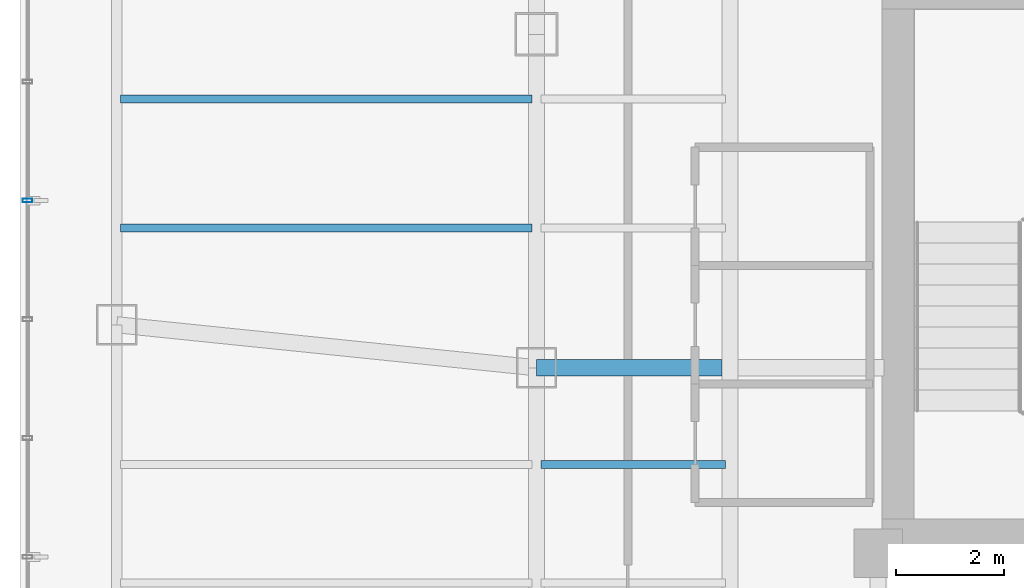
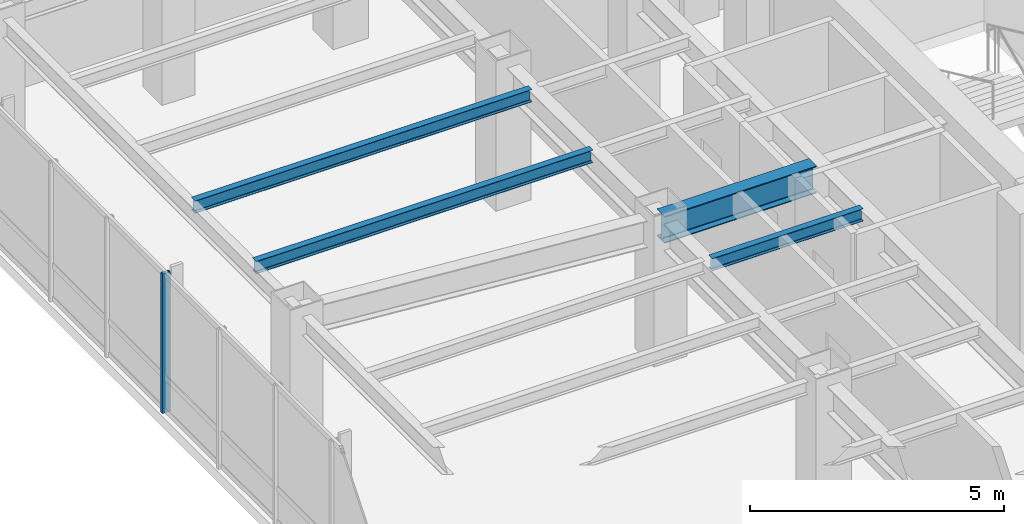
# One storey, part 8 of 28: 4 beams, 1 member, 1 element without a shape of its own.
"""IFC4 building model written with IfcOpenShell, lengths in metres."""

import ifcopenshell
import ifcopenshell.guid

model = None  # the IFC model being written
_history = None  # IfcOwnerHistory: only IFC2X3 demands one
_inside = {}  # id of a spatial element -> (the spatial element, [elements in it])
_under = {}  # id of a project, library or spatial element -> (it, [spatial elements below it])
_declared = {}  # id of a project -> (the project, [libraries it declares])
_typed = {}  # id of a type object -> (the type object, [elements of that type])
_made_of = {}  # id of a material, layer set ... -> (it, [elements and type objects made of it])


def new_model(schema):
    """Start an empty IFC model of exactly this schema.

    Asked for "IFC4X3", IfcOpenShell would pick the latest addendum, in which some entities
    have other attributes; the version numbers below select the first issue.
    IFC2X3 requires an IfcOwnerHistory on every rooted entity: one is made here for all.
    """
    global model, _history
    if schema == "IFC4X3":
        model = ifcopenshell.file(schema_version=(4, 3, 0, 0))
    else:
        model = ifcopenshell.file(schema=schema)
    _inside.clear()
    _under.clear()
    _declared.clear()
    _typed.clear()
    _made_of.clear()
    _history = None
    if model.schema == "IFC2X3":
        org = make("IfcOrganization", Name="unknown")
        user = make(
            "IfcPersonAndOrganization",
            ThePerson=make("IfcPerson", FamilyName="unknown"),
            TheOrganization=org,
        )
        app = make(
            "IfcApplication",
            ApplicationDeveloper=org,
            Version="unknown",
            ApplicationFullName="unknown",
            ApplicationIdentifier="unknown",
        )
        _history = make(
            "IfcOwnerHistory",
            OwningUser=user,
            OwningApplication=app,
            ChangeAction="ADDED",
            CreationDate=0,
        )
    return model


def make(cls, **values):
    """One entity of the class cls with the attributes given. An attribute that is None is left unset."""
    return model.create_entity(
        cls, **{name: value for name, value in values.items() if value is not None}
    )


def rooted(cls, **values):
    """An entity with a GlobalId (a new one), such as an element, a storey or a relation."""
    return make(cls, GlobalId=ifcopenshell.guid.new(), OwnerHistory=_history, **values)


def si_unit(unit_type, name, prefix=None):
    """IfcSIUnit, for example si_unit("LENGTHUNIT", "METRE", prefix="MILLI")."""
    return make("IfcSIUnit", UnitType=unit_type, Prefix=prefix, Name=name)


def assignment(units):
    """IfcUnitAssignment: the units of a project."""
    return None if units is None else make("IfcUnitAssignment", Units=units)


def point(xyz):
    """IfcCartesianPoint."""
    return None if xyz is None else make("IfcCartesianPoint", Coordinates=xyz)


def direction(xyz):
    """IfcDirection."""
    return None if xyz is None else make("IfcDirection", DirectionRatios=xyz)


def frame(location, z_axis=None, x_axis=None):
    """IfcAxis2Placement3D, a coordinate frame: its origin and axes. An axis left out is left unset."""
    return make(
        "IfcAxis2Placement3D",
        Location=point(location),
        Axis=direction(z_axis),
        RefDirection=direction(x_axis),
    )


def frame_2d(location, x_axis=None):
    """IfcAxis2Placement2D, a coordinate frame in the plane: its origin and x axis."""
    return make(
        "IfcAxis2Placement2D", Location=point(location), RefDirection=direction(x_axis)
    )


def origin():
    """The frame at (0, 0, 0) with its axes left unset."""
    return frame((0.0, 0.0, 0.0))


def origin_2d():
    """The frame at (0, 0) in the plane with its x axis left unset."""
    return frame_2d((0.0, 0.0))


def place(relative_to, where):
    """IfcLocalPlacement: puts the frame where relative to a parent placement (None: the world)."""
    return make(
        "IfcLocalPlacement", PlacementRelTo=relative_to, RelativePlacement=where
    )


def context(
    kind, dimensions, precision=None, world=None, true_north=None, identifier=None
):
    """IfcGeometricRepresentationContext, for example the 3D "Model" context."""
    return make(
        "IfcGeometricRepresentationContext",
        ContextIdentifier=identifier,
        ContextType=kind,
        CoordinateSpaceDimension=dimensions,
        Precision=precision,
        WorldCoordinateSystem=world,
        TrueNorth=true_north,
    )


def subcontext(parent, identifier, kind, view, scale=None):
    """IfcGeometricRepresentationSubContext, for example "Body" below "Model"."""
    return make(
        "IfcGeometricRepresentationSubContext",
        ContextIdentifier=identifier,
        ContextType=kind,
        ParentContext=parent,
        TargetScale=scale,
        TargetView=view,
    )


def project(units=None, contexts=None):
    """IfcProject with its units and contexts."""
    return rooted(
        "IfcProject",
        Name="project",
        RepresentationContexts=contexts,
        UnitsInContext=assignment(units),
    )


def spatial(cls, under=None, at=None, **own):
    """A site, building, storey or space (cls), placed at a placement, below another one or the project."""
    s = rooted(cls, ObjectPlacement=at, **own)
    if under is not None:
        _under.setdefault(under.id(), (under, []))[1].append(s)
    return s


def profile(cls, at=None, kind="AREA", **sizes):
    """A parametric profile (cls). Its sizes go by their IFC names, for example OverallWidth=200.0."""
    return make(cls, ProfileType=kind, Position=at, **sizes)


def hollow_rectangle(**sizes):
    """IfcRectangleHollowProfileDef."""
    return profile("IfcRectangleHollowProfileDef", **sizes)


def i_section(**sizes):
    """IfcIShapeProfileDef."""
    return profile("IfcIShapeProfileDef", **sizes)


def extrude(swept, where, along, depth):
    """IfcExtrudedAreaSolid: the profile swept, set in the frame where, extruded along a direction by depth."""
    return make(
        "IfcExtrudedAreaSolid",
        SweptArea=swept,
        Position=where,
        ExtrudedDirection=direction(along),
        Depth=depth,
    )


def shape(context_of_items, identifier, shape_type, items):
    """IfcShapeRepresentation: the items that make up one representation, for example the "Body"."""
    return make(
        "IfcShapeRepresentation",
        ContextOfItems=context_of_items,
        RepresentationIdentifier=identifier,
        RepresentationType=shape_type,
        Items=items,
    )


def material(Name=None, Category=None):
    """IfcMaterial."""
    return make("IfcMaterial", Name=Name, Category=Category)


def layer(
    of_material, thickness, ventilated=None, Name=None, Category=None, Priority=None
):
    """IfcMaterialLayer: one layer of a wall or slab, of a material (None: an air gap)."""
    return make(
        "IfcMaterialLayer",
        Material=of_material,
        LayerThickness=thickness,
        IsVentilated=ventilated,
        Name=Name,
        Category=Category,
        Priority=Priority,
    )


def layer_set(layers, Name=None):
    """IfcMaterialLayerSet."""
    return make("IfcMaterialLayerSet", MaterialLayers=layers, LayerSetName=Name)


def material_profile(
    of_material, cross_section, Name=None, Category=None, Priority=None
):
    """IfcMaterialProfile: a cross section and its material."""
    return make(
        "IfcMaterialProfile",
        Name=Name,
        Material=of_material,
        Profile=cross_section,
        Priority=Priority,
        Category=Category,
    )


def profile_set(profiles, Name=None, composite=None):
    """IfcMaterialProfileSet."""
    return make(
        "IfcMaterialProfileSet",
        Name=Name,
        MaterialProfiles=profiles,
        CompositeProfile=composite,
    )


def made_of(thing, what):
    """Note that an element or type object is made of a material, layer set ...; save() writes the relation."""
    if what is not None:
        _made_of.setdefault(what.id(), (what, []))[1].append(thing)
    return thing


def type_object(cls, material=None, **own):
    """A type object (cls), such as IfcWallType, which elements share."""
    return made_of(rooted(cls, **own), material)


def element(
    cls,
    number,
    at=None,
    inside=None,
    cuts=None,
    type_object=None,
    material=None,
    context=None,
    identifier="Body",
    shape_type=None,
    held_by="IfcProductDefinitionShape",
    body=None,
    shapes=None,
    **own,
):
    """One element of the class cls, such as IfcWall. Its Tag is "e" and its number.

    at: its placement. inside: the storey or other place that contains it. cuts: it is an
    opening in that element (IfcRelVoidsElement). A single representation is given by context,
    identifier, shape_type and body (its items); several are given by shapes. held_by: the class
    of the entity that holds the representations. save() writes the other relations.
    """
    e = rooted(cls, Tag="e%d" % number, ObjectPlacement=at, **own)
    if body is not None:
        shapes = [shape(context, identifier, shape_type, body)]
    if shapes is not None:
        e.Representation = make(held_by, Representations=shapes)
    if inside is not None:
        _inside.setdefault(inside.id(), (inside, []))[1].append(e)
    if cuts is not None:
        rooted(
            "IfcRelVoidsElement", RelatingBuildingElement=cuts, RelatedOpeningElement=e
        )
    if type_object is not None:
        _typed.setdefault(type_object.id(), (type_object, []))[1].append(e)
    return made_of(e, material)


def aggregate(whole, parts):
    """IfcRelAggregates: a whole, such as a stair, and the parts it consists of."""
    return rooted("IfcRelAggregates", RelatingObject=whole, RelatedObjects=parts)


def save(model, path):
    """Write the relations noted so far, then the file.

    IfcRelAggregates (storeys below a building ...), IfcRelContainedInSpatialStructure (elements
    in a storey), IfcRelDefinesByType, IfcRelAssociatesMaterial and IfcRelDeclares: one each for
    every whole, place, type object, material and project.
    """
    for whole, parts in _under.values():
        aggregate(whole, parts)
    for where, things in _inside.values():
        rooted(
            "IfcRelContainedInSpatialStructure",
            RelatedElements=things,
            RelatingStructure=where,
        )
    for kind, things in _typed.values():
        rooted("IfcRelDefinesByType", RelatedObjects=things, RelatingType=kind)
    for what, things in _made_of.values():
        rooted("IfcRelAssociatesMaterial", RelatedObjects=things, RelatingMaterial=what)
    for by, libraries in _declared.values():
        rooted("IfcRelDeclares", RelatingContext=by, RelatedDefinitions=libraries)
    model.write(path)


model = new_model("IFC4")

# Units and contexts
model_context = context("Model", 3, precision=1e-05, world=origin(), true_north=direction((0.0, 1.0)))
body_context = subcontext(model_context, "Body", "Model", "MODEL_VIEW")
ifc_project = project(units=[si_unit("LENGTHUNIT", "METRE"), si_unit("AREAUNIT", "SQUARE_METRE"), si_unit("VOLUMEUNIT", "CUBIC_METRE"), si_unit("PLANEANGLEUNIT", "RADIAN"), si_unit("MASSUNIT", "GRAM", prefix="KILO")], contexts=[model_context])

# Site, building, storey
site_placement = place(None, origin())
site = spatial("IfcSite", under=ifc_project, at=site_placement, CompositionType="ELEMENT")
building_placement = place(site_placement, origin())
building = spatial("IfcBuilding", under=site, at=building_placement, Name="Hatsunagi Terrace Concourse", CompositionType="ELEMENT")
storey_placement = place(building_placement, frame((0.0, 0.0, 170.85009765625)))
storey = spatial("IfcBuildingStorey", under=building, at=storey_placement, Name="L45", CompositionType="ELEMENT", Elevation=170.85009765625)

# Curtain wall, member
ifc_material_1 = material(Name="Anodised Aluminium Alloy 6063-T5", Category="aluminium")
ifc_layer = layer(ifc_material_1, 0.199951171875)
ifc_layer_set = layer_set([ifc_layer], Name="OfficeZone1_CW03")
curtain_wall_type = type_object("IfcCurtainWallType", Name="OfficeZone1_CW03", PredefinedType="NOTDEFINED", material=ifc_layer_set)
curtain_wall_placement = place(storey_placement, origin())
curtain_wall = element("IfcCurtainWall", 1, at=curtain_wall_placement, inside=storey, type_object=curtain_wall_type, Name="Unitised Curtain Wall CW-03 CW-L45-09", PredefinedType="NOTDEFINED")
ifc_material_2 = material(Name="Anodised Aluminium Alloy 6063-T5", Category="aluminium")
ifc_material_profile_1 = material_profile(ifc_material_2, hollow_rectangle(XDim=0.070068359375, YDim=0.179931640625, WallThickness=0.00390625, at=origin_2d()), Name="ALU-MUL-180x70x4")
ifc_profile_set_1 = profile_set([ifc_material_profile_1], Name="Anodised Aluminium Alloy 6063-T5")
member_type = type_object("IfcMemberType", Name="CurtainWallMullion_180x70", PredefinedType="MULLION", material=ifc_profile_set_1)
member_placement = place(storey_placement, frame((9.739990234375, 39.10791015625, 0.0), z_axis=(0.0, 0.0, 1.0), x_axis=(0.0, 1.0, 0.0)))
member = element("IfcMember", 2, at=member_placement, type_object=member_type, Name="Curtain Wall Mullion MUL-02", PredefinedType="MULLION", context=body_context, shape_type="SweptSolid", body=[
    extrude(hollow_rectangle(XDim=0.070068359375, YDim=0.179931640625, WallThickness=0.00390625, at=origin_2d()), origin(), (0.0, 0.0, 1.0), 3.349853515625),
])
aggregate(curtain_wall, [member])

# Beams
ifc_material_3 = material(Name="Steel SN490B", Category="steel")
ifc_material_profile_2 = material_profile(ifc_material_3, i_section(OverallWidth=0.14990234375, OverallDepth=0.300048828125, WebThickness=0.006591796875, FlangeThickness=0.009033203125, FilletRadius=0.010986328125, at=origin_2d()), Name="H-300x150x6.5x9")
ifc_profile_set_2 = profile_set([ifc_material_profile_2], Name="Steel SN490B")
beam_type_1 = type_object("IfcBeamType", Name="OfficeJoist_H_300x150", PredefinedType="JOIST", material=ifc_profile_set_2)
beam_1_placement = place(storey_placement, frame((19.284912109375, 34.199951171875, 3.199951171875), z_axis=(1.0, 0.0, 0.0), x_axis=(0.0, 1.0, 0.0)))
element("IfcBeam", 3, at=beam_1_placement, inside=storey, type_object=beam_type_1, Name="Beam J-03 J-L45-W-19-342", PredefinedType="JOIST", context=body_context, shape_type="SweptSolid", body=[
    extrude(i_section(OverallWidth=0.14990234375, OverallDepth=0.300048828125, WebThickness=0.006591796875, FlangeThickness=0.009033203125, FilletRadius=0.010986328125, at=origin_2d()), origin(), (0.0, 0.0, 1.0), 3.43017578125),
])
for number, where, z_axis, x_axis, name in (
    (4, (11.465087890625, 38.60009765625, 3.199951171875), (1.0, 0.0, 0.0), (0.0, 1.0, 0.0), "Beam J-03 J-L45-W-11-386"),
    (5, (11.465087890625, 41.0, 3.199951171875), (1.0, 0.0, 0.0), (0.0, 1.0, 0.0), "Beam J-03 J-L45-W-11-410"),
):
    element("IfcBeam", number, at=place(storey_placement, frame(where, z_axis=z_axis, x_axis=x_axis)), inside=storey, type_object=beam_type_1, Name=name, PredefinedType="JOIST", context=body_context, shape_type="SweptSolid", body=[
        extrude(i_section(OverallWidth=0.14990234375, OverallDepth=0.300048828125, WebThickness=0.006591796875, FlangeThickness=0.009033203125, FilletRadius=0.010986328125, at=origin_2d()), origin(), (0.0, 0.0, 1.0), 7.64990234375),
    ])
ifc_material_4 = material(Name="Steel SN490B", Category="steel")
ifc_material_profile_3 = material_profile(ifc_material_4, i_section(OverallWidth=0.300048828125, OverallDepth=0.64990234375, WebThickness=0.012939453125, FlangeThickness=0.02197265625, FilletRadius=0.01806640625, at=origin_2d()), Name="H-650x300x13x22")
ifc_profile_set_3 = profile_set([ifc_material_profile_3], Name="Steel SN490B")
beam_type_2 = type_object("IfcBeamType", Name="OfficeLowGirder_H_650x300", PredefinedType="BEAM", material=ifc_profile_set_3)
beam_2_placement = place(storey_placement, frame((19.199951171875, 36.0, 3.02490234375), z_axis=(1.0, 0.0, 0.0), x_axis=(0.0, 1.0, 0.0)))
element("IfcBeam", 6, at=beam_2_placement, inside=storey, type_object=beam_type_2, Name="Beam G-05 BM-L45-EW-3", PredefinedType="BEAM", context=body_context, shape_type="SweptSolid", body=[
    extrude(i_section(OverallWidth=0.300048828125, OverallDepth=0.64990234375, WebThickness=0.012939453125, FlangeThickness=0.02197265625, FilletRadius=0.01806640625, at=origin_2d()), origin(), (0.0, 0.0, 1.0), 3.449951171875),
])

save(model, "model.ifc")
